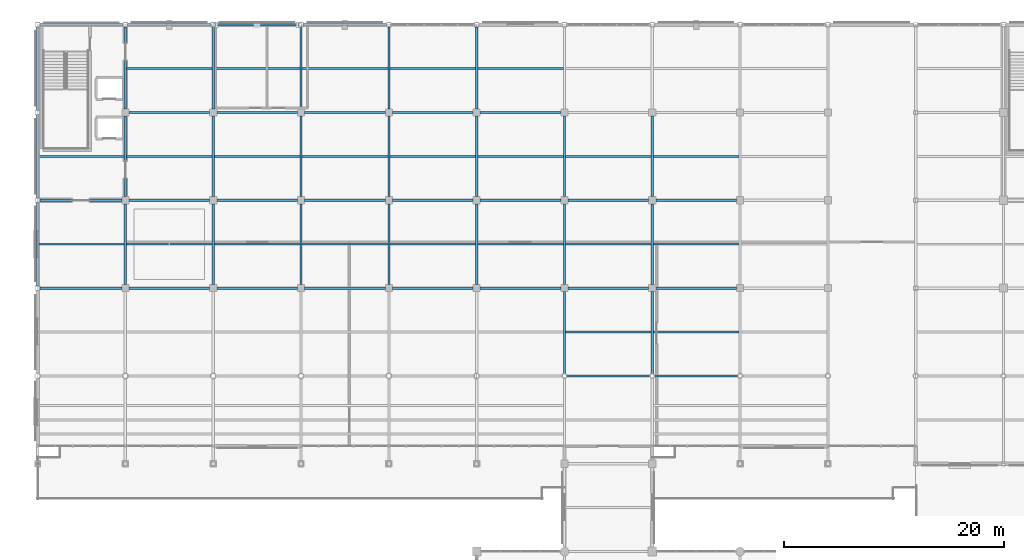
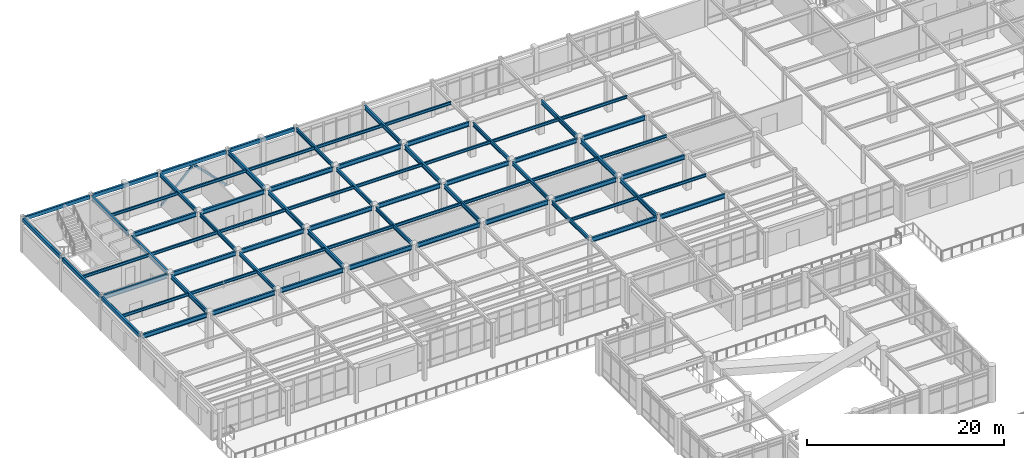
# One storey, part 50 of 111: 74 beams, 2 members.
"""IFC4 building model written with IfcOpenShell, lengths in metres."""

from ifc_helpers import new_model, si_unit, direction, frame, origin, origin_2d, place, context, subcontext, project, spatial, hollow_rectangle, i_section, extrude, material, material_profile, profile_set, type_object, element, save


model = new_model("IFC4")

# Units and contexts
model_context = context("Model", 3, precision=1e-05, world=origin(), true_north=direction((0.0, 1.0)))
body_context = subcontext(model_context, "Body", "Model", "MODEL_VIEW")
ifc_project = project(units=[si_unit("LENGTHUNIT", "METRE"), si_unit("AREAUNIT", "SQUARE_METRE"), si_unit("VOLUMEUNIT", "CUBIC_METRE"), si_unit("PLANEANGLEUNIT", "RADIAN"), si_unit("MASSUNIT", "GRAM", prefix="KILO")], contexts=[model_context])

# Site, building, storey
site_placement = place(None, origin())
site = spatial("IfcSite", under=ifc_project, at=site_placement, CompositionType="ELEMENT")
building_placement = place(site_placement, origin())
building = spatial("IfcBuilding", under=site, at=building_placement, Name="Solmirada Galleria", CompositionType="ELEMENT")
storey_placement = place(building_placement, frame((0.0, 0.0, 10.39990234375)))
storey = spatial("IfcBuildingStorey", under=building, at=storey_placement, Name="L02", CompositionType="ELEMENT", Elevation=10.39990234375)

# Beams
ifc_material_1 = material(Name="Steel S355 / ASTM A992 Grade 50", Category="steel")
ifc_material_profile_1 = material_profile(ifc_material_1, i_section(OverallWidth=0.194091796875, OverallDepth=0.468994140625, WebThickness=0.0126953125, FlangeThickness=0.0205078125, FilletRadius=0.013916015625, at=origin_2d()), Name="W18X71")
ifc_profile_set_1 = profile_set([ifc_material_profile_1], Name="Steel S355 / ASTM A992 Grade 50")
beam_type_1 = type_object("IfcBeamType", Name="BM-GIRD-W18B", PredefinedType="BEAM", material=ifc_profile_set_1)
for number, where, z_axis, x_axis, name in (
    (1, (56.0, 96.324951171875, 4.065673828125), (0.0, 1.0, 0.0), (-1.0, 0.0, 0.0), "Primary girder L03 Y(56, 96..104)"),
    (2, (56.0, 104.324951171875, 4.065673828125), (0.0, 1.0, 0.0), (-1.0, 0.0, 0.0), "Primary girder L03 Y(56, 104..112)"),
):
    element("IfcBeam", number, at=place(storey_placement, frame(where, z_axis=z_axis, x_axis=x_axis)), inside=storey, type_object=beam_type_1, Name=name, PredefinedType="BEAM", context=body_context, shape_type="SweptSolid", body=[
        extrude(i_section(OverallWidth=0.194091796875, OverallDepth=0.468994140625, WebThickness=0.0126953125, FlangeThickness=0.0205078125, FilletRadius=0.013916015625, at=origin_2d()), origin(), (0.0, 0.0, 1.0), 7.35009765625),
    ])
beam_1_placement = place(storey_placement, frame((56.0, 112.324951171875, 4.065673828125), z_axis=(0.0, 1.0, 0.0), x_axis=(-1.0, 0.0, 0.0)))
element("IfcBeam", 3, at=beam_1_placement, inside=storey, type_object=beam_type_1, Name="Primary girder L03 Y(56, 112..120)", PredefinedType="BEAM", context=body_context, shape_type="SweptSolid", body=[
    extrude(i_section(OverallWidth=0.194091796875, OverallDepth=0.468994140625, WebThickness=0.0126953125, FlangeThickness=0.0205078125, FilletRadius=0.013916015625, at=origin_2d()), origin(), (0.0, 0.0, 1.0), 7.47216796875),
])
for number, where, z_axis, x_axis, name in (
    (4, (72.0, 96.324951171875, 4.065673828125), (0.0, 1.0, 0.0), (-1.0, 0.0, 0.0), "Primary girder L03 Y(72, 96..104)"),
    (5, (72.0, 104.324951171875, 4.065673828125), (0.0, 1.0, 0.0), (-1.0, 0.0, 0.0), "Primary girder L03 Y(72, 104..112)"),
):
    element("IfcBeam", number, at=place(storey_placement, frame(where, z_axis=z_axis, x_axis=x_axis)), inside=storey, type_object=beam_type_1, Name=name, PredefinedType="BEAM", context=body_context, shape_type="SweptSolid", body=[
        extrude(i_section(OverallWidth=0.194091796875, OverallDepth=0.468994140625, WebThickness=0.0126953125, FlangeThickness=0.0205078125, FilletRadius=0.013916015625, at=origin_2d()), origin(), (0.0, 0.0, 1.0), 7.35009765625),
    ])
beam_2_placement = place(storey_placement, frame((72.0, 112.324951171875, 4.065673828125), z_axis=(0.0, 1.0, 0.0), x_axis=(-1.0, 0.0, 0.0)))
element("IfcBeam", 6, at=beam_2_placement, inside=storey, type_object=beam_type_1, Name="Primary girder L03 Y(72, 112..120)", PredefinedType="BEAM", context=body_context, shape_type="SweptSolid", body=[
    extrude(i_section(OverallWidth=0.194091796875, OverallDepth=0.468994140625, WebThickness=0.0126953125, FlangeThickness=0.0205078125, FilletRadius=0.013916015625, at=origin_2d()), origin(), (0.0, 0.0, 1.0), 7.47216796875),
])
beam_3_placement = place(storey_placement, frame((88.0, 88.19189453125, 4.065673828125), z_axis=(0.0, 1.0, 0.0), x_axis=(-1.0, 0.0, 0.0)))
element("IfcBeam", 7, at=beam_3_placement, inside=storey, type_object=beam_type_1, Name="Primary girder L03 Y(88, 88..96)", PredefinedType="BEAM", context=body_context, shape_type="SweptSolid", body=[
    extrude(i_section(OverallWidth=0.194091796875, OverallDepth=0.468994140625, WebThickness=0.0126953125, FlangeThickness=0.0205078125, FilletRadius=0.013916015625, at=origin_2d()), origin(), (0.0, 0.0, 1.0), 7.483154296875),
])
for number, where, z_axis, x_axis, name in (
    (8, (88.0, 96.324951171875, 4.065673828125), (0.0, 1.0, 0.0), (-1.0, 0.0, 0.0), "Primary girder L03 Y(88, 96..104)"),
    (9, (88.0, 104.324951171875, 4.065673828125), (0.0, 1.0, 0.0), (-1.0, 0.0, 0.0), "Primary girder L03 Y(88, 104..112)"),
):
    element("IfcBeam", number, at=place(storey_placement, frame(where, z_axis=z_axis, x_axis=x_axis)), inside=storey, type_object=beam_type_1, Name=name, PredefinedType="BEAM", context=body_context, shape_type="SweptSolid", body=[
        extrude(i_section(OverallWidth=0.194091796875, OverallDepth=0.468994140625, WebThickness=0.0126953125, FlangeThickness=0.0205078125, FilletRadius=0.013916015625, at=origin_2d()), origin(), (0.0, 0.0, 1.0), 7.35009765625),
    ])
ifc_material_profile_2 = material_profile(ifc_material_1, i_section(OverallWidth=0.214111328125, OverallDepth=0.549072265625, WebThickness=0.0146484375, FlangeThickness=0.023681640625, FilletRadius=0.014892578125, at=origin_2d()), Name="W21X93")
ifc_profile_set_2 = profile_set([ifc_material_profile_2], Name="Steel S355 / ASTM A992 Grade 50")
beam_type_2 = type_object("IfcBeamType", Name="BM-GIRD-W21A", PredefinedType="BEAM", material=ifc_profile_set_2)
beam_4_placement = place(storey_placement, frame((40.202880859375, 96.0, 4.025634765625), z_axis=(1.0, 0.0, 0.0), x_axis=(0.0, 1.0, 0.0)))
element("IfcBeam", 10, at=beam_4_placement, inside=storey, type_object=beam_type_2, Name="Primary beam L03 X(40..48, 96)", PredefinedType="BEAM", context=body_context, shape_type="SweptSolid", body=[
    extrude(i_section(OverallWidth=0.214111328125, OverallDepth=0.549072265625, WebThickness=0.0146484375, FlangeThickness=0.023681640625, FilletRadius=0.014892578125, at=origin_2d()), origin(), (0.0, 0.0, 1.0), 7.47216796875),
])
for number, where, z_axis, x_axis, name in (
    (11, (48.324951171875, 96.0, 4.025634765625), (1.0, 0.0, 0.0), (0.0, 1.0, 0.0), "Primary beam L03 X(48..56, 96)"),
    (12, (48.324951171875, 112.0, 4.025634765625), (1.0, 0.0, 0.0), (0.0, 1.0, 0.0), "Primary beam L03 X(48..56, 112)"),
    (13, (56.324951171875, 96.0, 4.025634765625), (1.0, 0.0, 0.0), (0.0, 1.0, 0.0), "Primary beam L03 X(56..64, 96)"),
    (14, (56.324951171875, 112.0, 4.025634765625), (1.0, 0.0, 0.0), (0.0, 1.0, 0.0), "Primary beam L03 X(56..64, 112)"),
    (15, (64.324951171875, 96.0, 4.025634765625), (1.0, 0.0, 0.0), (0.0, 1.0, 0.0), "Primary beam L03 X(64..72, 96)"),
    (16, (64.324951171875, 112.0, 4.025634765625), (1.0, 0.0, 0.0), (0.0, 1.0, 0.0), "Primary beam L03 X(64..72, 112)"),
    (17, (72.324951171875, 96.0, 4.025634765625), (1.0, 0.0, 0.0), (0.0, 1.0, 0.0), "Primary beam L03 X(72..80, 96)"),
    (18, (72.324951171875, 112.0, 4.025634765625), (1.0, 0.0, 0.0), (0.0, 1.0, 0.0), "Primary beam L03 X(72..80, 112)"),
    (19, (80.324951171875, 96.0, 4.025634765625), (1.0, 0.0, 0.0), (0.0, 1.0, 0.0), "Primary beam L03 X(80..88, 96)"),
    (20, (80.324951171875, 112.0, 4.025634765625), (1.0, 0.0, 0.0), (0.0, 1.0, 0.0), "Primary beam L03 X(80..88, 112)"),
    (21, (88.324951171875, 96.0, 4.025634765625), (1.0, 0.0, 0.0), (0.0, 1.0, 0.0), "Primary beam L03 X(88..96, 96)"),
    (22, (96.324951171875, 96.0, 4.025634765625), (1.0, 0.0, 0.0), (0.0, 1.0, 0.0), "Primary beam L03 X(96..104, 96)"),
):
    element("IfcBeam", number, at=place(storey_placement, frame(where, z_axis=z_axis, x_axis=x_axis)), inside=storey, type_object=beam_type_2, Name=name, PredefinedType="BEAM", context=body_context, shape_type="SweptSolid", body=[
        extrude(i_section(OverallWidth=0.214111328125, OverallDepth=0.549072265625, WebThickness=0.0146484375, FlangeThickness=0.023681640625, FilletRadius=0.014892578125, at=origin_2d()), origin(), (0.0, 0.0, 1.0), 7.35009765625),
    ])
ifc_material_profile_3 = material_profile(ifc_material_1, i_section(OverallWidth=0.2099609375, OverallDepth=0.537109375, WebThickness=0.010986328125, FlangeThickness=0.017333984375, FilletRadius=0.014892578125, at=origin_2d()), Name="W21X68")
ifc_profile_set_3 = profile_set([ifc_material_profile_3], Name="Steel S355 / ASTM A992 Grade 50")
beam_type_3 = type_object("IfcBeamType", Name="BM-GIRD-W21B", PredefinedType="BEAM", material=ifc_profile_set_3)
beam_5_placement = place(storey_placement, frame((40.202880859375, 104.0, 4.031494140625), z_axis=(1.0, 0.0, 0.0), x_axis=(0.0, 1.0, 0.0)))
element("IfcBeam", 23, at=beam_5_placement, inside=storey, type_object=beam_type_3, Name="Primary beam L03 X(40..48, 104)", PredefinedType="BEAM", context=body_context, shape_type="SweptSolid", body=[
    extrude(i_section(OverallWidth=0.2099609375, OverallDepth=0.537109375, WebThickness=0.010986328125, FlangeThickness=0.017333984375, FilletRadius=0.014892578125, at=origin_2d()), origin(), (0.0, 0.0, 1.0), 7.47216796875),
])
for number, where, z_axis, x_axis, name in (
    (24, (48.324951171875, 104.0, 4.031494140625), (1.0, 0.0, 0.0), (0.0, 1.0, 0.0), "Primary beam L03 X(48..56, 104)"),
    (25, (56.324951171875, 104.0, 4.031494140625), (1.0, 0.0, 0.0), (0.0, 1.0, 0.0), "Primary beam L03 X(56..64, 104)"),
    (26, (64.324951171875, 104.0, 4.031494140625), (1.0, 0.0, 0.0), (0.0, 1.0, 0.0), "Primary beam L03 X(64..72, 104)"),
    (27, (72.324951171875, 104.0, 4.031494140625), (1.0, 0.0, 0.0), (0.0, 1.0, 0.0), "Primary beam L03 X(72..80, 104)"),
    (28, (80.324951171875, 104.0, 4.031494140625), (1.0, 0.0, 0.0), (0.0, 1.0, 0.0), "Primary beam L03 X(80..88, 104)"),
):
    element("IfcBeam", number, at=place(storey_placement, frame(where, z_axis=z_axis, x_axis=x_axis)), inside=storey, type_object=beam_type_3, Name=name, PredefinedType="BEAM", context=body_context, shape_type="SweptSolid", body=[
        extrude(i_section(OverallWidth=0.2099609375, OverallDepth=0.537109375, WebThickness=0.010986328125, FlangeThickness=0.017333984375, FilletRadius=0.014892578125, at=origin_2d()), origin(), (0.0, 0.0, 1.0), 7.35009765625),
    ])
beam_6_placement = place(storey_placement, frame((88.19189453125, 88.0, 4.031494140625), z_axis=(1.0, 0.0, 0.0), x_axis=(0.0, 1.0, 0.0)))
element("IfcBeam", 29, at=beam_6_placement, inside=storey, type_object=beam_type_3, Name="Primary beam L03 X(88..96, 88)", PredefinedType="BEAM", context=body_context, shape_type="SweptSolid", body=[
    extrude(i_section(OverallWidth=0.2099609375, OverallDepth=0.537109375, WebThickness=0.010986328125, FlangeThickness=0.017333984375, FilletRadius=0.014892578125, at=origin_2d()), origin(), (0.0, 0.0, 1.0), 7.6162109375),
])
beam_7_placement = place(storey_placement, frame((88.324951171875, 104.0, 4.031494140625), z_axis=(1.0, 0.0, 0.0), x_axis=(0.0, 1.0, 0.0)))
element("IfcBeam", 30, at=beam_7_placement, inside=storey, type_object=beam_type_3, Name="Primary beam L03 X(88..96, 104)", PredefinedType="BEAM", context=body_context, shape_type="SweptSolid", body=[
    extrude(i_section(OverallWidth=0.2099609375, OverallDepth=0.537109375, WebThickness=0.010986328125, FlangeThickness=0.017333984375, FilletRadius=0.014892578125, at=origin_2d()), origin(), (0.0, 0.0, 1.0), 7.35009765625),
])
beam_8_placement = place(storey_placement, frame((96.19189453125, 88.0, 4.031494140625), z_axis=(1.0, 0.0, 0.0), x_axis=(0.0, 1.0, 0.0)))
element("IfcBeam", 31, at=beam_8_placement, inside=storey, type_object=beam_type_3, Name="Primary beam L03 X(96..104, 88)", PredefinedType="BEAM", context=body_context, shape_type="SweptSolid", body=[
    extrude(i_section(OverallWidth=0.2099609375, OverallDepth=0.537109375, WebThickness=0.010986328125, FlangeThickness=0.017333984375, FilletRadius=0.014892578125, at=origin_2d()), origin(), (0.0, 0.0, 1.0), 7.6162109375),
])
for number, where, z_axis, x_axis, name in (
    (32, (96.324951171875, 104.0, 4.031494140625), (1.0, 0.0, 0.0), (0.0, 1.0, 0.0), "Primary beam L03 X(96..104, 104)"),
    (33, (48.0, 96.324951171875, 4.031494140625), (0.0, 1.0, 0.0), (-1.0, 0.0, 0.0), "Primary girder L03 Y(48, 96..104)"),
    (34, (48.0, 104.324951171875, 4.031494140625), (0.0, 1.0, 0.0), (-1.0, 0.0, 0.0), "Primary girder L03 Y(48, 104..112)"),
):
    element("IfcBeam", number, at=place(storey_placement, frame(where, z_axis=z_axis, x_axis=x_axis)), inside=storey, type_object=beam_type_3, Name=name, PredefinedType="BEAM", context=body_context, shape_type="SweptSolid", body=[
        extrude(i_section(OverallWidth=0.2099609375, OverallDepth=0.537109375, WebThickness=0.010986328125, FlangeThickness=0.017333984375, FilletRadius=0.014892578125, at=origin_2d()), origin(), (0.0, 0.0, 1.0), 7.35009765625),
    ])
beam_9_placement = place(storey_placement, frame((48.0, 112.324951171875, 4.031494140625), z_axis=(0.0, 1.0, 0.0), x_axis=(-1.0, 0.0, 0.0)))
element("IfcBeam", 35, at=beam_9_placement, inside=storey, type_object=beam_type_3, Name="Primary girder L03 Y(48, 112..120)", PredefinedType="BEAM", context=body_context, shape_type="SweptSolid", body=[
    extrude(i_section(OverallWidth=0.2099609375, OverallDepth=0.537109375, WebThickness=0.010986328125, FlangeThickness=0.017333984375, FilletRadius=0.014892578125, at=origin_2d()), origin(), (0.0, 0.0, 1.0), 7.47216796875),
])
for number, where, z_axis, x_axis, name in (
    (36, (64.0, 96.324951171875, 4.031494140625), (0.0, 1.0, 0.0), (-1.0, 0.0, 0.0), "Primary girder L03 Y(64, 96..104)"),
    (37, (64.0, 104.324951171875, 4.031494140625), (0.0, 1.0, 0.0), (-1.0, 0.0, 0.0), "Primary girder L03 Y(64, 104..112)"),
):
    element("IfcBeam", number, at=place(storey_placement, frame(where, z_axis=z_axis, x_axis=x_axis)), inside=storey, type_object=beam_type_3, Name=name, PredefinedType="BEAM", context=body_context, shape_type="SweptSolid", body=[
        extrude(i_section(OverallWidth=0.2099609375, OverallDepth=0.537109375, WebThickness=0.010986328125, FlangeThickness=0.017333984375, FilletRadius=0.014892578125, at=origin_2d()), origin(), (0.0, 0.0, 1.0), 7.35009765625),
    ])
beam_10_placement = place(storey_placement, frame((64.0, 112.324951171875, 4.031494140625), z_axis=(0.0, 1.0, 0.0), x_axis=(-1.0, 0.0, 0.0)))
element("IfcBeam", 38, at=beam_10_placement, inside=storey, type_object=beam_type_3, Name="Primary girder L03 Y(64, 112..120)", PredefinedType="BEAM", context=body_context, shape_type="SweptSolid", body=[
    extrude(i_section(OverallWidth=0.2099609375, OverallDepth=0.537109375, WebThickness=0.010986328125, FlangeThickness=0.017333984375, FilletRadius=0.014892578125, at=origin_2d()), origin(), (0.0, 0.0, 1.0), 7.47216796875),
])
for number, where, z_axis, x_axis, name in (
    (39, (80.0, 96.324951171875, 4.031494140625), (0.0, 1.0, 0.0), (-1.0, 0.0, 0.0), "Primary girder L03 Y(80, 96..104)"),
    (40, (80.0, 104.324951171875, 4.031494140625), (0.0, 1.0, 0.0), (-1.0, 0.0, 0.0), "Primary girder L03 Y(80, 104..112)"),
):
    element("IfcBeam", number, at=place(storey_placement, frame(where, z_axis=z_axis, x_axis=x_axis)), inside=storey, type_object=beam_type_3, Name=name, PredefinedType="BEAM", context=body_context, shape_type="SweptSolid", body=[
        extrude(i_section(OverallWidth=0.2099609375, OverallDepth=0.537109375, WebThickness=0.010986328125, FlangeThickness=0.017333984375, FilletRadius=0.014892578125, at=origin_2d()), origin(), (0.0, 0.0, 1.0), 7.35009765625),
    ])
beam_11_placement = place(storey_placement, frame((80.0, 112.324951171875, 4.031494140625), z_axis=(0.0, 1.0, 0.0), x_axis=(-1.0, 0.0, 0.0)))
element("IfcBeam", 41, at=beam_11_placement, inside=storey, type_object=beam_type_3, Name="Primary girder L03 Y(80, 112..120)", PredefinedType="BEAM", context=body_context, shape_type="SweptSolid", body=[
    extrude(i_section(OverallWidth=0.2099609375, OverallDepth=0.537109375, WebThickness=0.010986328125, FlangeThickness=0.017333984375, FilletRadius=0.014892578125, at=origin_2d()), origin(), (0.0, 0.0, 1.0), 7.47216796875),
])
beam_12_placement = place(storey_placement, frame((96.0, 88.19189453125, 4.031494140625), z_axis=(0.0, 1.0, 0.0), x_axis=(-1.0, 0.0, 0.0)))
element("IfcBeam", 42, at=beam_12_placement, inside=storey, type_object=beam_type_3, Name="Primary girder L03 Y(96, 88..96)", PredefinedType="BEAM", context=body_context, shape_type="SweptSolid", body=[
    extrude(i_section(OverallWidth=0.2099609375, OverallDepth=0.537109375, WebThickness=0.010986328125, FlangeThickness=0.017333984375, FilletRadius=0.014892578125, at=origin_2d()), origin(), (0.0, 0.0, 1.0), 7.483154296875),
])
for number, where, z_axis, x_axis, name in (
    (43, (96.0, 96.324951171875, 4.031494140625), (0.0, 1.0, 0.0), (-1.0, 0.0, 0.0), "Primary girder L03 Y(96, 96..104)"),
    (44, (96.0, 104.324951171875, 4.031494140625), (0.0, 1.0, 0.0), (-1.0, 0.0, 0.0), "Primary girder L03 Y(96, 104..112)"),
):
    element("IfcBeam", number, at=place(storey_placement, frame(where, z_axis=z_axis, x_axis=x_axis)), inside=storey, type_object=beam_type_3, Name=name, PredefinedType="BEAM", context=body_context, shape_type="SweptSolid", body=[
        extrude(i_section(OverallWidth=0.2099609375, OverallDepth=0.537109375, WebThickness=0.010986328125, FlangeThickness=0.017333984375, FilletRadius=0.014892578125, at=origin_2d()), origin(), (0.0, 0.0, 1.0), 7.35009765625),
    ])
ifc_material_profile_4 = material_profile(ifc_material_1, i_section(OverallWidth=0.172119140625, OverallDepth=0.35791015625, WebThickness=0.0078125, FlangeThickness=0.01318359375, FilletRadius=0.011962890625, at=origin_2d()), Name="W14X38")
ifc_profile_set_4 = profile_set([ifc_material_profile_4], Name="Steel S355 / ASTM A992 Grade 50")
beam_type_4 = type_object("IfcBeamType", Name="BM-JST-W14A", PredefinedType="JOIST", material=ifc_profile_set_4)
for number, where, z_axis, x_axis, name in (
    (45, (40.126953125, 100.0, 4.12109375), (1.0, 0.0, 0.0), (0.0, 1.0, 0.0), "Composite floor joist L03 (40..48, 100.0)"),
    (46, (40.126953125, 108.0, 4.12109375), (1.0, 0.0, 0.0), (0.0, 1.0, 0.0), "Composite floor joist L03 (40..48, 108.0)"),
):
    element("IfcBeam", number, at=place(storey_placement, frame(where, z_axis=z_axis, x_axis=x_axis)), inside=storey, type_object=beam_type_4, Name=name, PredefinedType="JOIST", context=body_context, shape_type="SweptSolid", body=[
        extrude(i_section(OverallWidth=0.172119140625, OverallDepth=0.35791015625, WebThickness=0.0078125, FlangeThickness=0.01318359375, FilletRadius=0.011962890625, at=origin_2d()), origin(), (0.0, 0.0, 1.0), 7.76806640625),
    ])
for number, where, z_axis, x_axis, name in (
    (47, (48.10498046875, 100.0, 4.12109375), (1.0, 0.0, 0.0), (0.0, 1.0, 0.0), "Composite floor joist L03 (48..56, 100.0)"),
    (48, (48.10498046875, 108.0, 4.12109375), (1.0, 0.0, 0.0), (0.0, 1.0, 0.0), "Composite floor joist L03 (48..56, 108.0)"),
    (49, (48.10498046875, 116.0, 4.12109375), (1.0, 0.0, 0.0), (0.0, 1.0, 0.0), "Composite floor joist L03 (48..56, 116.0)"),
    (50, (56.096923828125, 100.0, 4.12109375), (1.0, 0.0, 0.0), (0.0, 1.0, 0.0), "Composite floor joist L03 (56..64, 100.0)"),
    (51, (56.096923828125, 108.0, 4.12109375), (1.0, 0.0, 0.0), (0.0, 1.0, 0.0), "Composite floor joist L03 (56..64, 108.0)"),
    (52, (56.096923828125, 116.0, 4.12109375), (1.0, 0.0, 0.0), (0.0, 1.0, 0.0), "Composite floor joist L03 (56..64, 116.0)"),
    (53, (64.10498046875, 100.0, 4.12109375), (1.0, 0.0, 0.0), (0.0, 1.0, 0.0), "Composite floor joist L03 (64..72, 100.0)"),
    (54, (64.10498046875, 108.0, 4.12109375), (1.0, 0.0, 0.0), (0.0, 1.0, 0.0), "Composite floor joist L03 (64..72, 108.0)"),
    (55, (64.10498046875, 116.0, 4.12109375), (1.0, 0.0, 0.0), (0.0, 1.0, 0.0), "Composite floor joist L03 (64..72, 116.0)"),
    (56, (72.096923828125, 100.0, 4.12109375), (1.0, 0.0, 0.0), (0.0, 1.0, 0.0), "Composite floor joist L03 (72..80, 100.0)"),
    (57, (72.096923828125, 108.0, 4.12109375), (1.0, 0.0, 0.0), (0.0, 1.0, 0.0), "Composite floor joist L03 (72..80, 108.0)"),
    (58, (72.096923828125, 116.0, 4.12109375), (1.0, 0.0, 0.0), (0.0, 1.0, 0.0), "Composite floor joist L03 (72..80, 116.0)"),
    (59, (80.10498046875, 100.0, 4.12109375), (1.0, 0.0, 0.0), (0.0, 1.0, 0.0), "Composite floor joist L03 (80..88, 100.0)"),
    (60, (80.10498046875, 108.0, 4.12109375), (1.0, 0.0, 0.0), (0.0, 1.0, 0.0), "Composite floor joist L03 (80..88, 108.0)"),
    (61, (80.10498046875, 116.0, 4.12109375), (1.0, 0.0, 0.0), (0.0, 1.0, 0.0), "Composite floor joist L03 (80..88, 116.0)"),
    (62, (88.096923828125, 92.0, 4.12109375), (1.0, 0.0, 0.0), (0.0, 1.0, 0.0), "Composite floor joist L03 (88..96, 92.0)"),
    (63, (88.096923828125, 100.0, 4.12109375), (1.0, 0.0, 0.0), (0.0, 1.0, 0.0), "Composite floor joist L03 (88..96, 100.0)"),
    (64, (88.096923828125, 108.0, 4.12109375), (1.0, 0.0, 0.0), (0.0, 1.0, 0.0), "Composite floor joist L03 (88..96, 108.0)"),
    (65, (96.10498046875, 92.0, 4.12109375), (1.0, 0.0, 0.0), (0.0, 1.0, 0.0), "Composite floor joist L03 (96..104, 92.0)"),
    (66, (96.10498046875, 100.0, 4.12109375), (1.0, 0.0, 0.0), (0.0, 1.0, 0.0), "Composite floor joist L03 (96..104, 100.0)"),
    (67, (96.10498046875, 108.0, 4.12109375), (1.0, 0.0, 0.0), (0.0, 1.0, 0.0), "Composite floor joist L03 (96..104, 108.0)"),
):
    element("IfcBeam", number, at=place(storey_placement, frame(where, z_axis=z_axis, x_axis=x_axis)), inside=storey, type_object=beam_type_4, Name=name, PredefinedType="JOIST", context=body_context, shape_type="SweptSolid", body=[
        extrude(i_section(OverallWidth=0.172119140625, OverallDepth=0.35791015625, WebThickness=0.0078125, FlangeThickness=0.01318359375, FilletRadius=0.011962890625, at=origin_2d()), origin(), (0.0, 0.0, 1.0), 7.798095703125),
    ])
ifc_material_2 = material(Name="Steel S355 / ASTM A500 Grade C", Category="steel")
ifc_material_profile_5 = material_profile(ifc_material_2, hollow_rectangle(XDim=0.25390625, YDim=0.45703125, WallThickness=0.01171875, InnerFilletRadius=0.01171875, OuterFilletRadius=0.023681640625, at=origin_2d()), Name="HSS18X10X1/2")
ifc_profile_set_5 = profile_set([ifc_material_profile_5], Name="Steel S355 / ASTM A500 Grade C")
beam_type_5 = type_object("IfcBeamType", Name="BM-SPAND-W18", PredefinedType="SPANDREL", material=ifc_profile_set_5)
for number, where, z_axis, x_axis, name in (
    (68, (40.202880859375, 120.0, 4.071533203125), (1.0, 0.0, 0.0), (0.0, 1.0, 0.0), "Primary beam L03 X(40..48, 120)"),
    (69, (48.202880859375, 120.0, 4.071533203125), (1.0, 0.0, 0.0), (0.0, 1.0, 0.0), "Primary beam L03 X(48..56, 120)"),
    (70, (56.202880859375, 120.0, 4.071533203125), (1.0, 0.0, 0.0), (0.0, 1.0, 0.0), "Primary beam L03 X(56..64, 120)"),
    (71, (64.202880859375, 120.0, 4.071533203125), (1.0, 0.0, 0.0), (0.0, 1.0, 0.0), "Primary beam L03 X(64..72, 120)"),
    (72, (40.0, 96.202880859375, 4.071533203125), (0.0, 1.0, 0.0), (-1.0, 0.0, 0.0), "Primary girder L03 Y(40, 96..104)"),
    (73, (40.0, 104.202880859375, 4.071533203125), (0.0, 1.0, 0.0), (-1.0, 0.0, 0.0), "Primary girder L03 Y(40, 104..112)"),
    (74, (40.0, 112.202880859375, 4.071533203125), (0.0, 1.0, 0.0), (-1.0, 0.0, 0.0), "Primary girder L03 Y(40, 112..120)"),
):
    element("IfcBeam", number, at=place(storey_placement, frame(where, z_axis=z_axis, x_axis=x_axis)), inside=storey, type_object=beam_type_5, Name=name, PredefinedType="SPANDREL", context=body_context, shape_type="SweptSolid", body=[
        extrude(hollow_rectangle(XDim=0.25390625, YDim=0.45703125, WallThickness=0.01171875, InnerFilletRadius=0.01171875, OuterFilletRadius=0.023681640625, at=origin_2d()), origin(), (0.0, 0.0, 1.0), 7.59423828125),
    ])

# Members
ifc_material_profile_6 = material_profile(ifc_material_2, hollow_rectangle(XDim=0.152099609375, YDim=0.25390625, WallThickness=0.0087890625, InnerFilletRadius=0.0087890625, OuterFilletRadius=0.017822265625, at=origin_2d()), Name="HSS10X6X3/8")
ifc_profile_set_6 = profile_set([ifc_material_profile_6], Name="Steel S355 / ASTM A500 Grade C")
member_type = type_object("IfcMemberType", Name="MEM-CBF-EXT", PredefinedType="BRACE", material=ifc_profile_set_6)
for number, where, z_axis, x_axis, name in (
    (75, (56.202880859375, 120.0, 0.02001953125), (0.706834047822, 0.0, 0.707379409397), (0.0, 1.0, 0.0), "Braced frame diagonal CBF-N1 L02 A"),
    (76, (63.797119140625, 120.0, 0.02001953125), (-0.706834047822, 0.0, 0.707379409397), (0.0, -1.0, 0.0), "Braced frame diagonal CBF-N1 L02 B"),
):
    element("IfcMember", number, at=place(storey_placement, frame(where, z_axis=z_axis, x_axis=x_axis)), inside=storey, type_object=member_type, Name=name, PredefinedType="BRACE", context=body_context, shape_type="SweptSolid", body=[
        extrude(hollow_rectangle(XDim=0.152099609375, YDim=0.25390625, WallThickness=0.0087890625, InnerFilletRadius=0.0087890625, OuterFilletRadius=0.017822265625, at=origin_2d()), origin(), (0.0, 0.0, 1.0), 5.3720703125),
    ])

save(model, "model.ifc")
